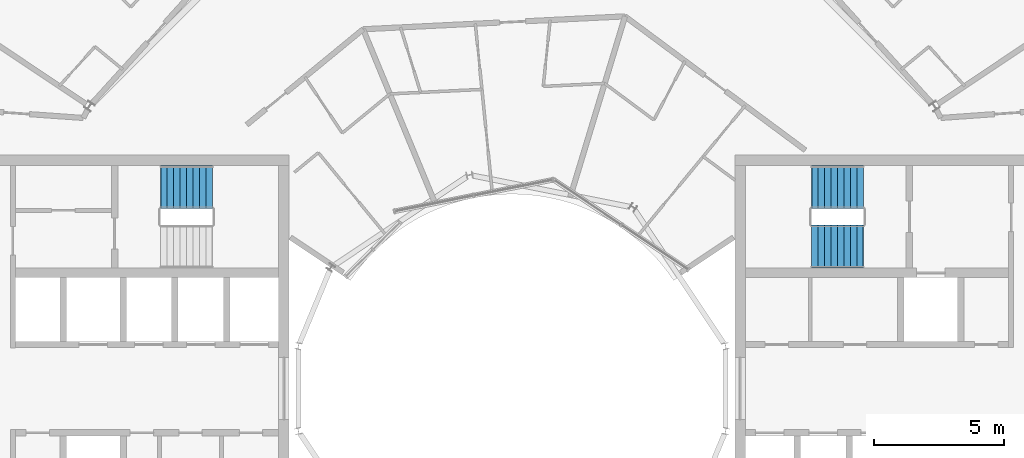
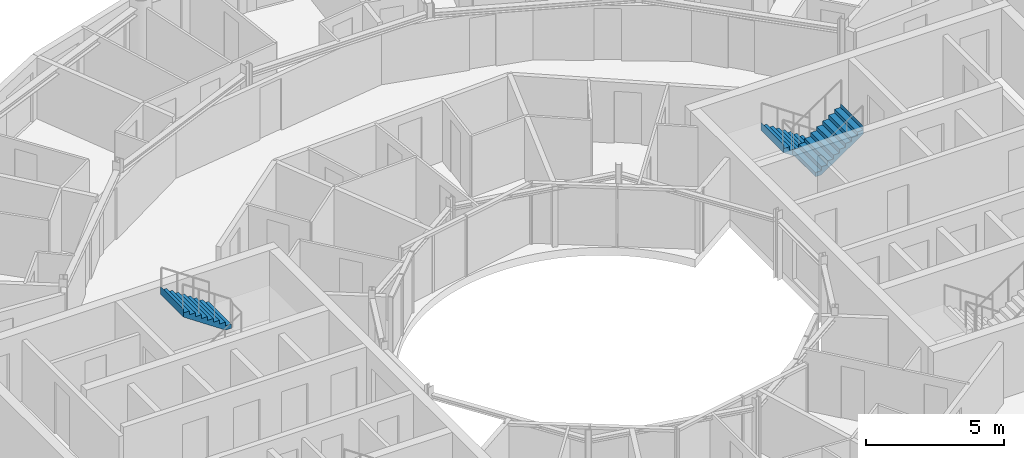
# One storey, part 21 of 22: 3 stair flights, 2 elements without a shape of their own.
"""IFC4 building model written with IfcOpenShell, lengths in metres."""

from ifc_helpers import new_model, si_unit, direction, frame, origin, place, context, subcontext, project, spatial, triangles, material, type_object, element, aggregate, save


model = new_model("IFC4")

# Units and contexts
model_context = context("Model", 3, precision=1e-05, world=origin(), true_north=direction((0.0, 1.0)))
body_context = subcontext(model_context, "Body", "Model", "MODEL_VIEW")
ifc_project = project(units=[si_unit("LENGTHUNIT", "METRE"), si_unit("AREAUNIT", "SQUARE_METRE"), si_unit("VOLUMEUNIT", "CUBIC_METRE"), si_unit("PLANEANGLEUNIT", "RADIAN"), si_unit("MASSUNIT", "GRAM", prefix="KILO")], contexts=[model_context])

# Site, building, storey
site_placement = place(None, origin())
site = spatial("IfcSite", under=ifc_project, at=site_placement, CompositionType="ELEMENT")
building_placement = place(site_placement, origin())
building = spatial("IfcBuilding", under=site, at=building_placement, Name="Maasbend Ring Residences", CompositionType="ELEMENT")
storey_placement = place(building_placement, frame((0.0, 0.0, 237.10009765625)))
storey = spatial("IfcBuildingStorey", under=building, at=storey_placement, Name="L68", CompositionType="ELEMENT", Elevation=237.10009765625)

# Stair, stair flights
ifc_material_1 = material(Name="Concrete C40/50", Category="concrete")
stair_type = type_object("IfcStairType", Name="CORE STAIR 18 RISERS", PredefinedType="HALF_TURN_STAIR", material=ifc_material_1)
stair_1_placement = place(storey_placement, origin())
stair_1 = element("IfcStair", 1, at=stair_1_placement, inside=storey, type_object=stair_type, Name="L68 Exit stair ST-E1", PredefinedType="HALF_TURN_STAIR")
ifc_material_2 = material(Name="Concrete C40/50", Category="concrete")
stair_flight_type = type_object("IfcStairFlightType", Name="CORE STAIR FLIGHT 1650", PredefinedType="STRAIGHT", material=ifc_material_2)
stair_flight_1_placement = place(storey_placement, frame((13.550048828125, 7.77490234375, 0.0), z_axis=(0.0, 0.0, 1.0), x_axis=(-1.0, 0.0, 0.0)))
stair_flight_1 = element("IfcStairFlight", 2, at=stair_flight_1_placement, type_object=stair_flight_type, Name="ST-E1 flight 1", NumberOfRisers=9, NumberOfTreads=8, PredefinedType="STRAIGHT", RiserHeight=0.169444444, TreadLength=0.25, context=body_context, shape_type="Tessellation", body=[
    triangles([(0.24072265625, 0.824951171875, -0.02001953125), (2.0029296875, 0.824951171875, 1.174560546875), (2.0029296875, 0.824951171875, 1.52490234375), (1.989990234375, 0.824951171875, 1.35546875), (1.75, 0.824951171875, 1.35546875), (1.75, 0.824951171875, 1.18603515625), (1.5, 0.824951171875, 1.18603515625), (1.5, 0.824951171875, 1.0166015625), (1.25, 0.824951171875, 1.0166015625), (1.25, 0.824951171875, 0.84716796875), (1.0, 0.824951171875, 0.84716796875), (1.0, 0.824951171875, 0.677734375), (0.75, 0.824951171875, 0.677734375), (0.75, 0.824951171875, 0.50830078125), (0.5, 0.824951171875, 0.50830078125), (0.5, 0.824951171875, 0.3388671875), (0.25, 0.824951171875, 0.3388671875), (0.25, 0.824951171875, 0.16943359375), (0.0, 0.824951171875, 0.16943359375), (0.0, 0.824951171875, 0.0), (-0.0029296875, 0.824951171875, 0.0), (-0.0029296875, 0.824951171875, -0.02001953125), (0.24072265625, 0.27490234375, -0.02001953125), (2.0029296875, 0.27490234375, 1.174560546875), (2.0029296875, 0.27490234375, 1.52490234375), (1.989990234375, 0.27490234375, 1.35546875), (1.75, 0.27490234375, 1.35546875), (1.75, 0.27490234375, 1.18603515625), (1.5, 0.27490234375, 1.18603515625), (1.5, 0.27490234375, 1.0166015625), (1.25, 0.27490234375, 1.0166015625), (1.25, 0.27490234375, 0.84716796875), (1.0, 0.27490234375, 0.84716796875), (1.0, 0.27490234375, 0.677734375), (0.75, 0.27490234375, 0.677734375), (0.75, 0.27490234375, 0.50830078125), (0.5, 0.27490234375, 0.50830078125), (0.5, 0.27490234375, 0.3388671875), (0.25, 0.27490234375, 0.3388671875), (0.25, 0.27490234375, 0.16943359375), (0.0, 0.27490234375, 0.16943359375), (0.0, 0.27490234375, 0.0), (-0.0029296875, 0.27490234375, 0.0), (-0.0029296875, 0.27490234375, -0.02001953125), (0.24072265625, -0.27490234375, -0.02001953125), (2.0029296875, -0.27490234375, 1.174560546875), (2.0029296875, -0.27490234375, 1.52490234375), (1.989990234375, -0.27490234375, 1.35546875), (1.75, -0.27490234375, 1.35546875), (1.75, -0.27490234375, 1.18603515625), (1.5, -0.27490234375, 1.18603515625), (1.5, -0.27490234375, 1.0166015625), (1.25, -0.27490234375, 1.0166015625), (1.25, -0.27490234375, 0.84716796875), (1.0, -0.27490234375, 0.84716796875), (1.0, -0.27490234375, 0.677734375), (0.75, -0.27490234375, 0.677734375), (0.75, -0.27490234375, 0.50830078125), (0.5, -0.27490234375, 0.50830078125), (0.5, -0.27490234375, 0.3388671875), (0.25, -0.27490234375, 0.3388671875), (0.25, -0.27490234375, 0.16943359375), (0.0, -0.27490234375, 0.16943359375), (0.0, -0.27490234375, 0.0), (-0.0029296875, -0.27490234375, 0.0), (-0.0029296875, -0.27490234375, -0.02001953125), (0.24072265625, -0.824951171875, -0.02001953125), (2.0029296875, -0.824951171875, 1.174560546875), (2.0029296875, -0.824951171875, 1.52490234375), (1.989990234375, -0.824951171875, 1.35546875), (1.75, -0.824951171875, 1.35546875), (1.75, -0.824951171875, 1.18603515625), (1.5, -0.824951171875, 1.18603515625), (1.5, -0.824951171875, 1.0166015625), (1.25, -0.824951171875, 1.0166015625), (1.25, -0.824951171875, 0.84716796875), (1.0, -0.824951171875, 0.84716796875), (1.0, -0.824951171875, 0.677734375), (0.75, -0.824951171875, 0.677734375), (0.75, -0.824951171875, 0.50830078125), (0.5, -0.824951171875, 0.50830078125), (0.5, -0.824951171875, 0.3388671875), (0.25, -0.824951171875, 0.3388671875), (0.25, -0.824951171875, 0.16943359375), (0.0, -0.824951171875, 0.16943359375), (0.0, -0.824951171875, 0.0), (-0.0029296875, -0.824951171875, 0.0), (-0.0029296875, -0.824951171875, -0.02001953125)], [[1, 2, 24], [1, 24, 23], [23, 24, 46], [23, 46, 45], [45, 46, 68], [45, 68, 67], [2, 3, 25], [2, 25, 24], [24, 25, 47], [24, 47, 46], [46, 47, 69], [46, 69, 68], [3, 4, 26], [3, 26, 25], [25, 26, 48], [25, 48, 47], [47, 48, 70], [47, 70, 69], [4, 5, 27], [4, 27, 26], [26, 27, 49], [26, 49, 48], [48, 49, 71], [48, 71, 70], [5, 6, 28], [5, 28, 27], [27, 28, 50], [27, 50, 49], [49, 50, 72], [49, 72, 71], [6, 7, 29], [6, 29, 28], [28, 29, 51], [28, 51, 50], [50, 51, 73], [50, 73, 72], [7, 8, 30], [7, 30, 29], [29, 30, 52], [29, 52, 51], [51, 52, 74], [51, 74, 73], [8, 9, 31], [8, 31, 30], [30, 31, 53], [30, 53, 52], [52, 53, 75], [52, 75, 74], [9, 10, 32], [9, 32, 31], [31, 32, 54], [31, 54, 53], [53, 54, 76], [53, 76, 75], [10, 11, 33], [10, 33, 32], [32, 33, 55], [32, 55, 54], [54, 55, 77], [54, 77, 76], [11, 12, 34], [11, 34, 33], [33, 34, 56], [33, 56, 55], [55, 56, 78], [55, 78, 77], [12, 13, 35], [12, 35, 34], [34, 35, 57], [34, 57, 56], [56, 57, 79], [56, 79, 78], [13, 14, 36], [13, 36, 35], [35, 36, 58], [35, 58, 57], [57, 58, 80], [57, 80, 79], [14, 15, 37], [14, 37, 36], [36, 37, 59], [36, 59, 58], [58, 59, 81], [58, 81, 80], [15, 16, 38], [15, 38, 37], [37, 38, 60], [37, 60, 59], [59, 60, 82], [59, 82, 81], [16, 17, 39], [16, 39, 38], [38, 39, 61], [38, 61, 60], [60, 61, 83], [60, 83, 82], [17, 18, 40], [17, 40, 39], [39, 40, 62], [39, 62, 61], [61, 62, 84], [61, 84, 83], [18, 19, 41], [18, 41, 40], [40, 41, 63], [40, 63, 62], [62, 63, 85], [62, 85, 84], [19, 20, 42], [19, 42, 41], [41, 42, 64], [41, 64, 63], [63, 64, 86], [63, 86, 85], [20, 21, 43], [20, 43, 42], [42, 43, 65], [42, 65, 64], [64, 65, 87], [64, 87, 86], [21, 22, 44], [21, 44, 43], [43, 44, 66], [43, 66, 65], [65, 66, 88], [65, 88, 87], [22, 1, 23], [22, 23, 44], [44, 23, 45], [44, 45, 66], [66, 45, 67], [66, 67, 88], [22, 2, 1], [2, 4, 3], [2, 5, 4], [2, 6, 5], [22, 6, 2], [6, 8, 7], [22, 8, 6], [8, 10, 9], [22, 10, 8], [10, 12, 11], [22, 12, 10], [12, 14, 13], [22, 14, 12], [14, 16, 15], [22, 16, 14], [16, 18, 17], [22, 18, 16], [18, 20, 19], [22, 20, 18], [20, 22, 21], [88, 67, 68], [68, 69, 70], [68, 70, 71], [68, 71, 72], [88, 68, 72], [72, 73, 74], [88, 72, 74], [74, 75, 76], [88, 74, 76], [76, 77, 78], [88, 76, 78], [78, 79, 80], [88, 78, 80], [80, 81, 82], [88, 80, 82], [82, 83, 84], [88, 82, 84], [84, 85, 86], [88, 84, 86], [86, 87, 88]], closed=True),
])
stair_flight_2_placement = place(storey_placement, frame((11.550048828125, 5.47509765625, 1.52490234375), z_axis=(0.0, 0.0, 1.0), x_axis=(1.0, 0.0, 0.0)))
stair_flight_2 = element("IfcStairFlight", 3, at=stair_flight_2_placement, type_object=stair_flight_type, Name="ST-E1 flight 2", NumberOfRisers=9, NumberOfTreads=8, PredefinedType="STRAIGHT", RiserHeight=0.169444444, TreadLength=0.25, context=body_context, shape_type="Tessellation", body=[
    triangles([(0.24072265625, 0.824951171875, -0.02001953125), (2.0029296875, 0.824951171875, 1.174560546875), (2.0029296875, 0.824951171875, 1.52490234375), (1.989990234375, 0.824951171875, 1.35546875), (1.75, 0.824951171875, 1.35546875), (1.75, 0.824951171875, 1.18603515625), (1.5, 0.824951171875, 1.18603515625), (1.5, 0.824951171875, 1.0166015625), (1.25, 0.824951171875, 1.0166015625), (1.25, 0.824951171875, 0.84716796875), (1.0, 0.824951171875, 0.84716796875), (1.0, 0.824951171875, 0.677734375), (0.75, 0.824951171875, 0.677734375), (0.75, 0.824951171875, 0.50830078125), (0.5, 0.824951171875, 0.50830078125), (0.5, 0.824951171875, 0.3388671875), (0.25, 0.824951171875, 0.3388671875), (0.25, 0.824951171875, 0.16943359375), (0.0, 0.824951171875, 0.16943359375), (0.0, 0.824951171875, 0.0), (-0.0029296875, 0.824951171875, 0.0), (-0.0029296875, 0.824951171875, -0.02001953125), (0.24072265625, 0.27490234375, -0.02001953125), (2.0029296875, 0.27490234375, 1.174560546875), (2.0029296875, 0.27490234375, 1.52490234375), (1.989990234375, 0.27490234375, 1.35546875), (1.75, 0.27490234375, 1.35546875), (1.75, 0.27490234375, 1.18603515625), (1.5, 0.27490234375, 1.18603515625), (1.5, 0.27490234375, 1.0166015625), (1.25, 0.27490234375, 1.0166015625), (1.25, 0.27490234375, 0.84716796875), (1.0, 0.27490234375, 0.84716796875), (1.0, 0.27490234375, 0.677734375), (0.75, 0.27490234375, 0.677734375), (0.75, 0.27490234375, 0.50830078125), (0.5, 0.27490234375, 0.50830078125), (0.5, 0.27490234375, 0.3388671875), (0.25, 0.27490234375, 0.3388671875), (0.25, 0.27490234375, 0.16943359375), (0.0, 0.27490234375, 0.16943359375), (0.0, 0.27490234375, 0.0), (-0.0029296875, 0.27490234375, 0.0), (-0.0029296875, 0.27490234375, -0.02001953125), (0.24072265625, -0.27490234375, -0.02001953125), (2.0029296875, -0.27490234375, 1.174560546875), (2.0029296875, -0.27490234375, 1.52490234375), (1.989990234375, -0.27490234375, 1.35546875), (1.75, -0.27490234375, 1.35546875), (1.75, -0.27490234375, 1.18603515625), (1.5, -0.27490234375, 1.18603515625), (1.5, -0.27490234375, 1.0166015625), (1.25, -0.27490234375, 1.0166015625), (1.25, -0.27490234375, 0.84716796875), (1.0, -0.27490234375, 0.84716796875), (1.0, -0.27490234375, 0.677734375), (0.75, -0.27490234375, 0.677734375), (0.75, -0.27490234375, 0.50830078125), (0.5, -0.27490234375, 0.50830078125), (0.5, -0.27490234375, 0.3388671875), (0.25, -0.27490234375, 0.3388671875), (0.25, -0.27490234375, 0.16943359375), (0.0, -0.27490234375, 0.16943359375), (0.0, -0.27490234375, 0.0), (-0.0029296875, -0.27490234375, 0.0), (-0.0029296875, -0.27490234375, -0.02001953125), (0.24072265625, -0.824951171875, -0.02001953125), (2.0029296875, -0.824951171875, 1.174560546875), (2.0029296875, -0.824951171875, 1.52490234375), (1.989990234375, -0.824951171875, 1.35546875), (1.75, -0.824951171875, 1.35546875), (1.75, -0.824951171875, 1.18603515625), (1.5, -0.824951171875, 1.18603515625), (1.5, -0.824951171875, 1.0166015625), (1.25, -0.824951171875, 1.0166015625), (1.25, -0.824951171875, 0.84716796875), (1.0, -0.824951171875, 0.84716796875), (1.0, -0.824951171875, 0.677734375), (0.75, -0.824951171875, 0.677734375), (0.75, -0.824951171875, 0.50830078125), (0.5, -0.824951171875, 0.50830078125), (0.5, -0.824951171875, 0.3388671875), (0.25, -0.824951171875, 0.3388671875), (0.25, -0.824951171875, 0.16943359375), (0.0, -0.824951171875, 0.16943359375), (0.0, -0.824951171875, 0.0), (-0.0029296875, -0.824951171875, 0.0), (-0.0029296875, -0.824951171875, -0.02001953125)], [[1, 2, 24], [1, 24, 23], [23, 24, 46], [23, 46, 45], [45, 46, 68], [45, 68, 67], [2, 3, 25], [2, 25, 24], [24, 25, 47], [24, 47, 46], [46, 47, 69], [46, 69, 68], [3, 4, 26], [3, 26, 25], [25, 26, 48], [25, 48, 47], [47, 48, 70], [47, 70, 69], [4, 5, 27], [4, 27, 26], [26, 27, 49], [26, 49, 48], [48, 49, 71], [48, 71, 70], [5, 6, 28], [5, 28, 27], [27, 28, 50], [27, 50, 49], [49, 50, 72], [49, 72, 71], [6, 7, 29], [6, 29, 28], [28, 29, 51], [28, 51, 50], [50, 51, 73], [50, 73, 72], [7, 8, 30], [7, 30, 29], [29, 30, 52], [29, 52, 51], [51, 52, 74], [51, 74, 73], [8, 9, 31], [8, 31, 30], [30, 31, 53], [30, 53, 52], [52, 53, 75], [52, 75, 74], [9, 10, 32], [9, 32, 31], [31, 32, 54], [31, 54, 53], [53, 54, 76], [53, 76, 75], [10, 11, 33], [10, 33, 32], [32, 33, 55], [32, 55, 54], [54, 55, 77], [54, 77, 76], [11, 12, 34], [11, 34, 33], [33, 34, 56], [33, 56, 55], [55, 56, 78], [55, 78, 77], [12, 13, 35], [12, 35, 34], [34, 35, 57], [34, 57, 56], [56, 57, 79], [56, 79, 78], [13, 14, 36], [13, 36, 35], [35, 36, 58], [35, 58, 57], [57, 58, 80], [57, 80, 79], [14, 15, 37], [14, 37, 36], [36, 37, 59], [36, 59, 58], [58, 59, 81], [58, 81, 80], [15, 16, 38], [15, 38, 37], [37, 38, 60], [37, 60, 59], [59, 60, 82], [59, 82, 81], [16, 17, 39], [16, 39, 38], [38, 39, 61], [38, 61, 60], [60, 61, 83], [60, 83, 82], [17, 18, 40], [17, 40, 39], [39, 40, 62], [39, 62, 61], [61, 62, 84], [61, 84, 83], [18, 19, 41], [18, 41, 40], [40, 41, 63], [40, 63, 62], [62, 63, 85], [62, 85, 84], [19, 20, 42], [19, 42, 41], [41, 42, 64], [41, 64, 63], [63, 64, 86], [63, 86, 85], [20, 21, 43], [20, 43, 42], [42, 43, 65], [42, 65, 64], [64, 65, 87], [64, 87, 86], [21, 22, 44], [21, 44, 43], [43, 44, 66], [43, 66, 65], [65, 66, 88], [65, 88, 87], [22, 1, 23], [22, 23, 44], [44, 23, 45], [44, 45, 66], [66, 45, 67], [66, 67, 88], [22, 2, 1], [2, 4, 3], [2, 5, 4], [2, 6, 5], [22, 6, 2], [6, 8, 7], [22, 8, 6], [8, 10, 9], [22, 10, 8], [10, 12, 11], [22, 12, 10], [12, 14, 13], [22, 14, 12], [14, 16, 15], [22, 16, 14], [16, 18, 17], [22, 18, 16], [18, 20, 19], [22, 20, 18], [20, 22, 21], [88, 67, 68], [68, 69, 70], [68, 70, 71], [68, 71, 72], [88, 68, 72], [72, 73, 74], [88, 72, 74], [74, 75, 76], [88, 74, 76], [76, 77, 78], [88, 76, 78], [78, 79, 80], [88, 78, 80], [80, 81, 82], [88, 80, 82], [82, 83, 84], [88, 82, 84], [84, 85, 86], [88, 84, 86], [86, 87, 88]], closed=True),
])
aggregate(stair_1, [stair_flight_1, stair_flight_2])

# Stair, stair flight
stair_2_placement = place(storey_placement, origin())
stair_2 = element("IfcStair", 4, at=stair_2_placement, inside=storey, type_object=stair_type, Name="L68 Exit stair ST-W2", PredefinedType="HALF_TURN_STAIR")
stair_flight_3_placement = place(storey_placement, frame((-11.550048828125, 7.77490234375, 1.52490234375), z_axis=(0.0, 0.0, 1.0), x_axis=(-1.0, 0.0, 0.0)))
stair_flight_3 = element("IfcStairFlight", 5, at=stair_flight_3_placement, type_object=stair_flight_type, Name="ST-W2 flight 2", NumberOfRisers=9, NumberOfTreads=8, PredefinedType="STRAIGHT", RiserHeight=0.169444444, TreadLength=0.25, context=body_context, shape_type="Tessellation", body=[
    triangles([(0.24072265625, 0.824951171875, -0.02001953125), (2.0029296875, 0.824951171875, 1.174560546875), (2.0029296875, 0.824951171875, 1.52490234375), (1.989990234375, 0.824951171875, 1.35546875), (1.75, 0.824951171875, 1.35546875), (1.75, 0.824951171875, 1.18603515625), (1.5, 0.824951171875, 1.18603515625), (1.5, 0.824951171875, 1.0166015625), (1.25, 0.824951171875, 1.0166015625), (1.25, 0.824951171875, 0.84716796875), (1.0, 0.824951171875, 0.84716796875), (1.0, 0.824951171875, 0.677734375), (0.75, 0.824951171875, 0.677734375), (0.75, 0.824951171875, 0.50830078125), (0.5, 0.824951171875, 0.50830078125), (0.5, 0.824951171875, 0.3388671875), (0.25, 0.824951171875, 0.3388671875), (0.25, 0.824951171875, 0.16943359375), (0.0, 0.824951171875, 0.16943359375), (0.0, 0.824951171875, 0.0), (-0.0029296875, 0.824951171875, 0.0), (-0.0029296875, 0.824951171875, -0.02001953125), (0.24072265625, 0.27490234375, -0.02001953125), (2.0029296875, 0.27490234375, 1.174560546875), (2.0029296875, 0.27490234375, 1.52490234375), (1.989990234375, 0.27490234375, 1.35546875), (1.75, 0.27490234375, 1.35546875), (1.75, 0.27490234375, 1.18603515625), (1.5, 0.27490234375, 1.18603515625), (1.5, 0.27490234375, 1.0166015625), (1.25, 0.27490234375, 1.0166015625), (1.25, 0.27490234375, 0.84716796875), (1.0, 0.27490234375, 0.84716796875), (1.0, 0.27490234375, 0.677734375), (0.75, 0.27490234375, 0.677734375), (0.75, 0.27490234375, 0.50830078125), (0.5, 0.27490234375, 0.50830078125), (0.5, 0.27490234375, 0.3388671875), (0.25, 0.27490234375, 0.3388671875), (0.25, 0.27490234375, 0.16943359375), (0.0, 0.27490234375, 0.16943359375), (0.0, 0.27490234375, 0.0), (-0.0029296875, 0.27490234375, 0.0), (-0.0029296875, 0.27490234375, -0.02001953125), (0.24072265625, -0.27490234375, -0.02001953125), (2.0029296875, -0.27490234375, 1.174560546875), (2.0029296875, -0.27490234375, 1.52490234375), (1.989990234375, -0.27490234375, 1.35546875), (1.75, -0.27490234375, 1.35546875), (1.75, -0.27490234375, 1.18603515625), (1.5, -0.27490234375, 1.18603515625), (1.5, -0.27490234375, 1.0166015625), (1.25, -0.27490234375, 1.0166015625), (1.25, -0.27490234375, 0.84716796875), (1.0, -0.27490234375, 0.84716796875), (1.0, -0.27490234375, 0.677734375), (0.75, -0.27490234375, 0.677734375), (0.75, -0.27490234375, 0.50830078125), (0.5, -0.27490234375, 0.50830078125), (0.5, -0.27490234375, 0.3388671875), (0.25, -0.27490234375, 0.3388671875), (0.25, -0.27490234375, 0.16943359375), (0.0, -0.27490234375, 0.16943359375), (0.0, -0.27490234375, 0.0), (-0.0029296875, -0.27490234375, 0.0), (-0.0029296875, -0.27490234375, -0.02001953125), (0.24072265625, -0.824951171875, -0.02001953125), (2.0029296875, -0.824951171875, 1.174560546875), (2.0029296875, -0.824951171875, 1.52490234375), (1.989990234375, -0.824951171875, 1.35546875), (1.75, -0.824951171875, 1.35546875), (1.75, -0.824951171875, 1.18603515625), (1.5, -0.824951171875, 1.18603515625), (1.5, -0.824951171875, 1.0166015625), (1.25, -0.824951171875, 1.0166015625), (1.25, -0.824951171875, 0.84716796875), (1.0, -0.824951171875, 0.84716796875), (1.0, -0.824951171875, 0.677734375), (0.75, -0.824951171875, 0.677734375), (0.75, -0.824951171875, 0.50830078125), (0.5, -0.824951171875, 0.50830078125), (0.5, -0.824951171875, 0.3388671875), (0.25, -0.824951171875, 0.3388671875), (0.25, -0.824951171875, 0.16943359375), (0.0, -0.824951171875, 0.16943359375), (0.0, -0.824951171875, 0.0), (-0.0029296875, -0.824951171875, 0.0), (-0.0029296875, -0.824951171875, -0.02001953125)], [[1, 2, 24], [1, 24, 23], [23, 24, 46], [23, 46, 45], [45, 46, 68], [45, 68, 67], [2, 3, 25], [2, 25, 24], [24, 25, 47], [24, 47, 46], [46, 47, 69], [46, 69, 68], [3, 4, 26], [3, 26, 25], [25, 26, 48], [25, 48, 47], [47, 48, 70], [47, 70, 69], [4, 5, 27], [4, 27, 26], [26, 27, 49], [26, 49, 48], [48, 49, 71], [48, 71, 70], [5, 6, 28], [5, 28, 27], [27, 28, 50], [27, 50, 49], [49, 50, 72], [49, 72, 71], [6, 7, 29], [6, 29, 28], [28, 29, 51], [28, 51, 50], [50, 51, 73], [50, 73, 72], [7, 8, 30], [7, 30, 29], [29, 30, 52], [29, 52, 51], [51, 52, 74], [51, 74, 73], [8, 9, 31], [8, 31, 30], [30, 31, 53], [30, 53, 52], [52, 53, 75], [52, 75, 74], [9, 10, 32], [9, 32, 31], [31, 32, 54], [31, 54, 53], [53, 54, 76], [53, 76, 75], [10, 11, 33], [10, 33, 32], [32, 33, 55], [32, 55, 54], [54, 55, 77], [54, 77, 76], [11, 12, 34], [11, 34, 33], [33, 34, 56], [33, 56, 55], [55, 56, 78], [55, 78, 77], [12, 13, 35], [12, 35, 34], [34, 35, 57], [34, 57, 56], [56, 57, 79], [56, 79, 78], [13, 14, 36], [13, 36, 35], [35, 36, 58], [35, 58, 57], [57, 58, 80], [57, 80, 79], [14, 15, 37], [14, 37, 36], [36, 37, 59], [36, 59, 58], [58, 59, 81], [58, 81, 80], [15, 16, 38], [15, 38, 37], [37, 38, 60], [37, 60, 59], [59, 60, 82], [59, 82, 81], [16, 17, 39], [16, 39, 38], [38, 39, 61], [38, 61, 60], [60, 61, 83], [60, 83, 82], [17, 18, 40], [17, 40, 39], [39, 40, 62], [39, 62, 61], [61, 62, 84], [61, 84, 83], [18, 19, 41], [18, 41, 40], [40, 41, 63], [40, 63, 62], [62, 63, 85], [62, 85, 84], [19, 20, 42], [19, 42, 41], [41, 42, 64], [41, 64, 63], [63, 64, 86], [63, 86, 85], [20, 21, 43], [20, 43, 42], [42, 43, 65], [42, 65, 64], [64, 65, 87], [64, 87, 86], [21, 22, 44], [21, 44, 43], [43, 44, 66], [43, 66, 65], [65, 66, 88], [65, 88, 87], [22, 1, 23], [22, 23, 44], [44, 23, 45], [44, 45, 66], [66, 45, 67], [66, 67, 88], [22, 2, 1], [2, 4, 3], [2, 5, 4], [2, 6, 5], [22, 6, 2], [6, 8, 7], [22, 8, 6], [8, 10, 9], [22, 10, 8], [10, 12, 11], [22, 12, 10], [12, 14, 13], [22, 14, 12], [14, 16, 15], [22, 16, 14], [16, 18, 17], [22, 18, 16], [18, 20, 19], [22, 20, 18], [20, 22, 21], [88, 67, 68], [68, 69, 70], [68, 70, 71], [68, 71, 72], [88, 68, 72], [72, 73, 74], [88, 72, 74], [74, 75, 76], [88, 74, 76], [76, 77, 78], [88, 76, 78], [78, 79, 80], [88, 78, 80], [80, 81, 82], [88, 80, 82], [82, 83, 84], [88, 82, 84], [84, 85, 86], [88, 84, 86], [86, 87, 88]], closed=True),
])
aggregate(stair_2, [stair_flight_3])

save(model, "model.ifc")
